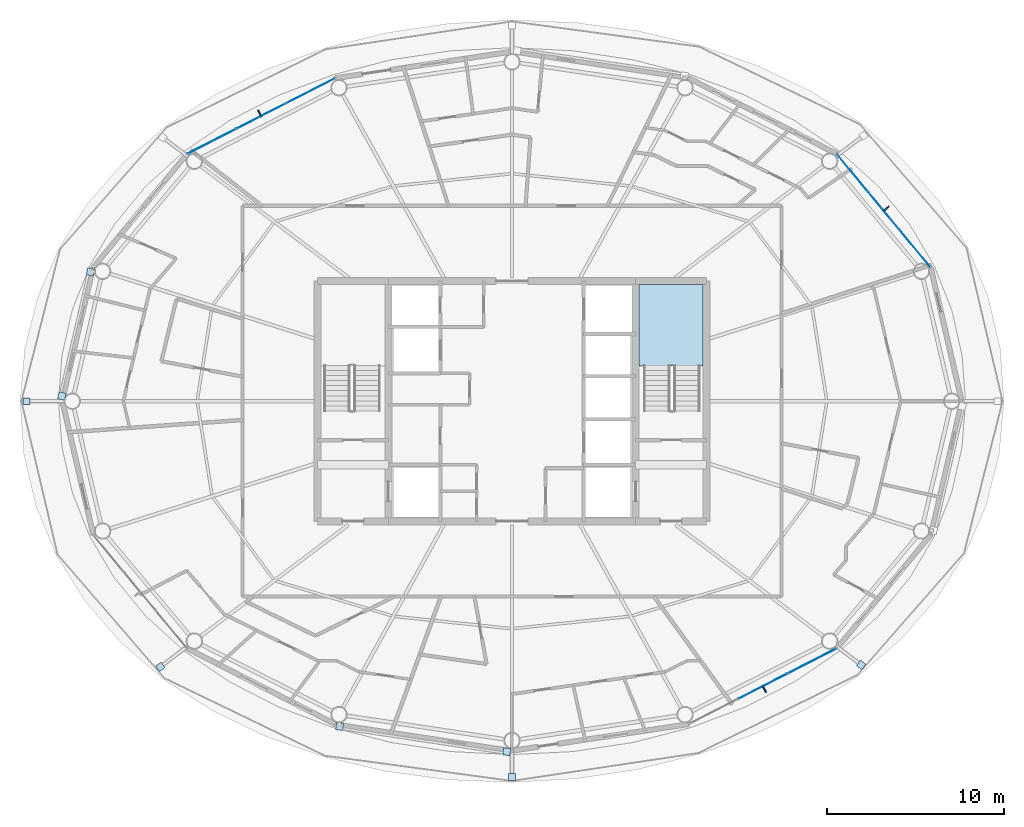
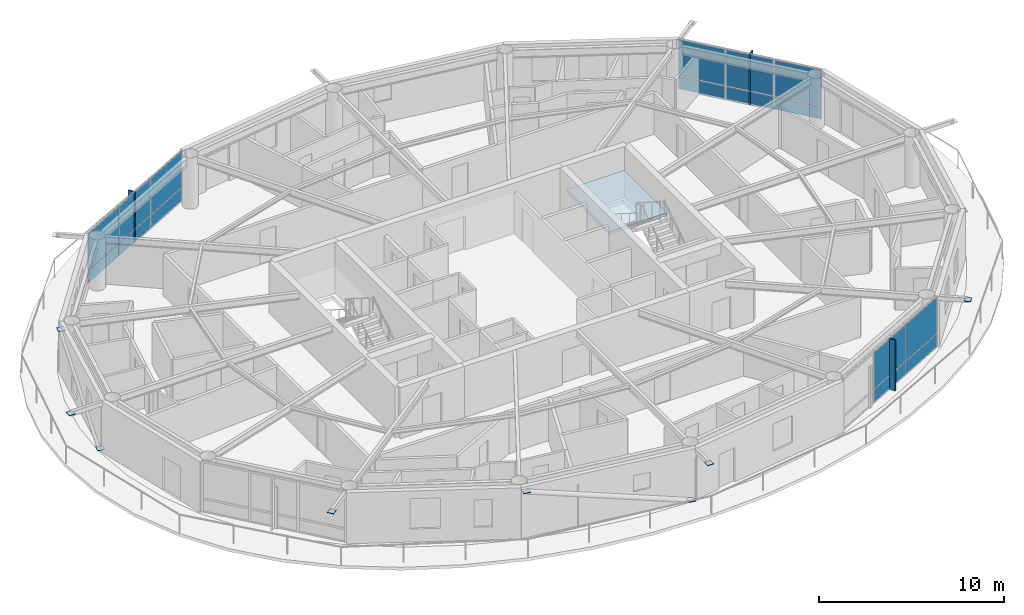
# One storey, part 14 of 23: 27 plates, 1 slab, 4 elements without a shape of their own.
"""IFC4 building model written with IfcOpenShell, lengths in metres."""

from ifc_helpers import new_model, si_unit, direction, frame, origin, origin_2d, place, context, subcontext, project, spatial, polyline, rectangle, outline, extrude, material, layer, layer_set, type_object, element, aggregate, save


model = new_model("IFC4")

# Units and contexts
model_context = context("Model", 3, precision=1e-05, world=origin(), true_north=direction((0.0, 1.0)))
body_context = subcontext(model_context, "Body", "Model", "MODEL_VIEW")
ifc_project = project(units=[si_unit("LENGTHUNIT", "METRE"), si_unit("AREAUNIT", "SQUARE_METRE"), si_unit("VOLUMEUNIT", "CUBIC_METRE"), si_unit("PLANEANGLEUNIT", "RADIAN"), si_unit("MASSUNIT", "GRAM", prefix="KILO")], contexts=[model_context])

# Site, building, storey
site_placement = place(None, origin())
site = spatial("IfcSite", under=ifc_project, at=site_placement, CompositionType="ELEMENT")
building_placement = place(site_placement, origin())
building = spatial("IfcBuilding", under=site, at=building_placement, Name="Sarneth Arch Tower", CompositionType="ELEMENT")
storey_placement = place(building_placement, frame((0.0, 0.0, 217.199951171875)))
storey = spatial("IfcBuildingStorey", under=building, at=storey_placement, Name="L55", CompositionType="ELEMENT", Elevation=217.199951171875)

# Curtain wall, plates
ifc_material_1 = material(Name="Anodised aluminium Type AA25 and solar-control low-e laminated IGU", Category="aluminium")
ifc_layer_1 = layer(ifc_material_1, 0.179931640625)
ifc_layer_set_1 = layer_set([ifc_layer_1], Name="Anodised aluminium Type AA25 and solar-control low-e laminated IGU")
curtain_wall_type = type_object("IfcCurtainWallType", Name="CW-RES-HIGH", PredefinedType="NOTDEFINED", material=ifc_layer_set_1)
curtain_wall_1_placement = place(storey_placement, origin())
curtain_wall_1 = element("IfcCurtainWall", 1, at=curtain_wall_1_placement, inside=storey, type_object=curtain_wall_type, Name="L55 Unitised curtain wall facet 02", PredefinedType="NOTDEFINED")
ifc_material_2 = material(Name="Solar-control low-e laminated IGU", Category="glass")
ifc_layer_2 = layer(ifc_material_2, 0.028076171875)
ifc_layer_set_2 = layer_set([ifc_layer_2], Name="Solar-control low-e laminated IGU")
plate_type_1 = type_object("IfcPlateType", Name="CW-PANEL", PredefinedType="CURTAIN_PANEL", material=ifc_layer_set_2)
plate_1_placement = place(storey_placement, frame((70.799072265625, 50.650634765625, 0.06005859375), z_axis=(0.0, 0.0, 1.0), x_axis=(-0.637610094184, 0.770359245933, 0.0)))
plate_1 = element("IfcPlate", 2, at=plate_1_placement, type_object=plate_type_1, Name="Curtain wall glazed vision pane CW-L55-F02/P00-00", PredefinedType="CURTAIN_PANEL", context=body_context, shape_type="SweptSolid", body=[
    extrude(rectangle(XDim=2.686767578125, YDim=0.028076171875, at=origin_2d()), origin(), (0.0, 0.0, 1.0), 0.81005859375),
])
plate_2_placement = place(storey_placement, frame((70.799072265625, 50.650634765625, 0.929931640625), z_axis=(0.0, 0.0, 1.0), x_axis=(-0.637610094184, 0.770359245933, 0.0)))
plate_2 = element("IfcPlate", 3, at=plate_2_placement, type_object=plate_type_1, Name="Curtain wall glazed vision pane CW-L55-F02/P00-01", PredefinedType="CURTAIN_PANEL", context=body_context, shape_type="SweptSolid", body=[
    extrude(rectangle(XDim=2.686767578125, YDim=0.028076171875, at=origin_2d()), origin(), (0.0, 0.0, 1.0), 2.3701171875),
])
plate_3_placement = place(storey_placement, frame((69.0380859375, 52.778076171875, 0.06005859375), z_axis=(0.0, 0.0, 1.0), x_axis=(-0.637610094184, 0.770359245933, 0.0)))
plate_3 = element("IfcPlate", 4, at=plate_3_placement, type_object=plate_type_1, Name="Curtain wall glazed vision pane CW-L55-F02/P01-00", PredefinedType="CURTAIN_PANEL", context=body_context, shape_type="SweptSolid", body=[
    extrude(rectangle(XDim=2.716552734375, YDim=0.028076171875, at=origin_2d()), origin(), (0.0, 0.0, 1.0), 0.81005859375),
])
plate_4_placement = place(storey_placement, frame((69.0380859375, 52.778076171875, 0.929931640625), z_axis=(0.0, 0.0, 1.0), x_axis=(-0.637610094184, 0.770359245933, 0.0)))
plate_4 = element("IfcPlate", 5, at=plate_4_placement, type_object=plate_type_1, Name="Curtain wall glazed vision pane CW-L55-F02/P01-01", PredefinedType="CURTAIN_PANEL", context=body_context, shape_type="SweptSolid", body=[
    extrude(rectangle(XDim=2.716552734375, YDim=0.028076171875, at=origin_2d()), origin(), (0.0, 0.0, 1.0), 2.3701171875),
])
plate_5_placement = place(storey_placement, frame((67.27734375, 54.905517578125, 0.06005859375), z_axis=(0.0, 0.0, 1.0), x_axis=(-0.637610094184, 0.770359245933, 0.0)))
plate_5 = element("IfcPlate", 6, at=plate_5_placement, type_object=plate_type_1, Name="Curtain wall glazed vision pane CW-L55-F02/P02-00", PredefinedType="CURTAIN_PANEL", context=body_context, shape_type="SweptSolid", body=[
    extrude(rectangle(XDim=2.686767578125, YDim=0.028076171875, at=origin_2d()), origin(), (0.0, 0.0, 1.0), 0.81005859375),
])
plate_6_placement = place(storey_placement, frame((67.27734375, 54.905517578125, 0.929931640625), z_axis=(0.0, 0.0, 1.0), x_axis=(-0.637610094184, 0.770359245933, 0.0)))
plate_6 = element("IfcPlate", 7, at=plate_6_placement, type_object=plate_type_1, Name="Curtain wall glazed vision pane CW-L55-F02/P02-01", PredefinedType="CURTAIN_PANEL", context=body_context, shape_type="SweptSolid", body=[
    extrude(rectangle(XDim=2.686767578125, YDim=0.028076171875, at=origin_2d()), origin(), (0.0, 0.0, 1.0), 2.3701171875),
])
aggregate(curtain_wall_1, [plate_1, plate_2, plate_3, plate_4, plate_5, plate_6])

curtain_wall_2_placement = place(storey_placement, origin())
curtain_wall_2 = element("IfcCurtainWall", 8, at=curtain_wall_2_placement, inside=storey, type_object=curtain_wall_type, Name="L55 Unitised curtain wall facet 06", PredefinedType="NOTDEFINED")
plate_7_placement = place(storey_placement, frame((36.5791015625, 59.552978515625, 0.06005859375), z_axis=(0.0, 0.0, 1.0), x_axis=(-0.890009540525, -0.455941901753, 0.0)))
plate_7 = element("IfcPlate", 9, at=plate_7_placement, type_object=plate_type_1, Name="Curtain wall glazed vision pane CW-L55-F06/P00-00", PredefinedType="CURTAIN_PANEL", context=body_context, shape_type="SweptSolid", body=[
    extrude(rectangle(XDim=3.044677734375, YDim=0.028076171875, at=origin_2d()), origin(), (0.0, 0.0, 1.0), 0.81005859375),
])
plate_8_placement = place(storey_placement, frame((36.5791015625, 59.552978515625, 0.929931640625), z_axis=(0.0, 0.0, 1.0), x_axis=(-0.890009540525, -0.455941901753, 0.0)))
plate_8 = element("IfcPlate", 10, at=plate_8_placement, type_object=plate_type_1, Name="Curtain wall glazed vision pane CW-L55-F06/P00-01", PredefinedType="CURTAIN_PANEL", context=body_context, shape_type="SweptSolid", body=[
    extrude(rectangle(XDim=3.044677734375, YDim=0.028076171875, at=origin_2d()), origin(), (0.0, 0.0, 1.0), 2.3701171875),
])
plate_9_placement = place(storey_placement, frame((33.802490234375, 58.13037109375, 0.06005859375), z_axis=(0.0, 0.0, 1.0), x_axis=(-0.890009540525, -0.455941901753, 0.0)))
plate_9 = element("IfcPlate", 11, at=plate_9_placement, type_object=plate_type_1, Name="Curtain wall glazed vision pane CW-L55-F06/P01-00", PredefinedType="CURTAIN_PANEL", context=body_context, shape_type="SweptSolid", body=[
    extrude(rectangle(XDim=3.07470703125, YDim=0.028076171875, at=origin_2d()), origin(), (0.0, 0.0, 1.0), 0.81005859375),
])
plate_10_placement = place(storey_placement, frame((33.802490234375, 58.13037109375, 0.929931640625), z_axis=(0.0, 0.0, 1.0), x_axis=(-0.890009540525, -0.455941901753, 0.0)))
plate_10 = element("IfcPlate", 12, at=plate_10_placement, type_object=plate_type_1, Name="Curtain wall glazed vision pane CW-L55-F06/P01-01", PredefinedType="CURTAIN_PANEL", context=body_context, shape_type="SweptSolid", body=[
    extrude(rectangle(XDim=3.07470703125, YDim=0.028076171875, at=origin_2d()), origin(), (0.0, 0.0, 1.0), 2.3701171875),
])
plate_11_placement = place(storey_placement, frame((31.02587890625, 56.7080078125, 0.06005859375), z_axis=(0.0, 0.0, 1.0), x_axis=(-0.890009540525, -0.455941901753, 0.0)))
plate_11 = element("IfcPlate", 13, at=plate_11_placement, type_object=plate_type_1, Name="Curtain wall glazed vision pane CW-L55-F06/P02-00", PredefinedType="CURTAIN_PANEL", context=body_context, shape_type="SweptSolid", body=[
    extrude(rectangle(XDim=3.044677734375, YDim=0.028076171875, at=origin_2d()), origin(), (0.0, 0.0, 1.0), 0.81005859375),
])
plate_12_placement = place(storey_placement, frame((31.02587890625, 56.7080078125, 0.929931640625), z_axis=(0.0, 0.0, 1.0), x_axis=(-0.890009540525, -0.455941901753, 0.0)))
plate_12 = element("IfcPlate", 14, at=plate_12_placement, type_object=plate_type_1, Name="Curtain wall glazed vision pane CW-L55-F06/P02-01", PredefinedType="CURTAIN_PANEL", context=body_context, shape_type="SweptSolid", body=[
    extrude(rectangle(XDim=3.044677734375, YDim=0.028076171875, at=origin_2d()), origin(), (0.0, 0.0, 1.0), 2.3701171875),
])
aggregate(curtain_wall_2, [plate_7, plate_8, plate_9, plate_10, plate_11, plate_12])

curtain_wall_3_placement = place(storey_placement, origin())
curtain_wall_3 = element("IfcCurtainWall", 15, at=curtain_wall_3_placement, inside=storey, type_object=curtain_wall_type, Name="L55 Unitised curtain wall facet 14", PredefinedType="NOTDEFINED")
plate_13_placement = place(storey_placement, frame((62.197509765625, 25.86962890625, 0.06005859375), z_axis=(0.0, 0.0, 1.0), x_axis=(0.890009540525, 0.455941901753, 0.0)))
plate_13 = element("IfcPlate", 16, at=plate_13_placement, type_object=plate_type_1, Name="Curtain wall glazed vision pane CW-L55-F14/P01-00", PredefinedType="CURTAIN_PANEL", context=body_context, shape_type="SweptSolid", body=[
    extrude(rectangle(XDim=3.07470703125, YDim=0.028076171875, at=origin_2d()), origin(), (0.0, 0.0, 1.0), 0.81005859375),
])
plate_14_placement = place(storey_placement, frame((62.197509765625, 25.86962890625, 0.929931640625), z_axis=(0.0, 0.0, 1.0), x_axis=(0.890009540525, 0.455941901753, 0.0)))
plate_14 = element("IfcPlate", 17, at=plate_14_placement, type_object=plate_type_1, Name="Curtain wall glazed vision pane CW-L55-F14/P01-01", PredefinedType="CURTAIN_PANEL", context=body_context, shape_type="SweptSolid", body=[
    extrude(rectangle(XDim=3.07470703125, YDim=0.028076171875, at=origin_2d()), origin(), (0.0, 0.0, 1.0), 2.3701171875),
])
plate_15_placement = place(storey_placement, frame((64.97412109375, 27.2919921875, 0.06005859375), z_axis=(0.0, 0.0, 1.0), x_axis=(0.890009540525, 0.455941901753, 0.0)))
plate_15 = element("IfcPlate", 18, at=plate_15_placement, type_object=plate_type_1, Name="Curtain wall glazed vision pane CW-L55-F14/P02-00", PredefinedType="CURTAIN_PANEL", context=body_context, shape_type="SweptSolid", body=[
    extrude(rectangle(XDim=3.044677734375, YDim=0.028076171875, at=origin_2d()), origin(), (0.0, 0.0, 1.0), 0.81005859375),
])
plate_16_placement = place(storey_placement, frame((64.97412109375, 27.2919921875, 0.929931640625), z_axis=(0.0, 0.0, 1.0), x_axis=(0.890009540525, 0.455941901753, 0.0)))
plate_16 = element("IfcPlate", 19, at=plate_16_placement, type_object=plate_type_1, Name="Curtain wall glazed vision pane CW-L55-F14/P02-01", PredefinedType="CURTAIN_PANEL", context=body_context, shape_type="SweptSolid", body=[
    extrude(rectangle(XDim=3.044677734375, YDim=0.028076171875, at=origin_2d()), origin(), (0.0, 0.0, 1.0), 2.3701171875),
])
aggregate(curtain_wall_3, [plate_13, plate_14, plate_15, plate_16])

# Plates
ifc_material_3 = material(Name="Steel S355", Category="steel")
ifc_layer_3 = layer(ifc_material_3, 0.035888671875)
ifc_layer_set_3 = layer_set([ifc_layer_3], Name="Steel S355")
plate_type_2 = type_object("IfcPlateType", Name="PLT-GUSSET-30", PredefinedType="SHEET", material=ifc_layer_set_3)
for number, where, z_axis, x_axis, name in (
    (20, (22.5234375, 42.292236328125, 0.001953125), (0.0, 0.0, 1.0), (-0.225461202458, -0.974252147129, 0.0), "Steel end cap plate GP-1"),
    (21, (24.148193359375, 49.3154296875, 3.0185546875), (0.0, 0.0, 1.0), (-0.225461202458, -0.974252147129, 0.0), "Steel end cap plate GP-1"),
):
    element("IfcPlate", number, at=place(storey_placement, frame(where, z_axis=z_axis, x_axis=x_axis)), inside=storey, type_object=plate_type_2, Name=name, PredefinedType="SHEET", context=body_context, shape_type="SweptSolid", body=[
        extrude(rectangle(XDim=0.404052734375, YDim=0.404052734375, at=origin_2d()), origin(), (0.0, 0.0, 1.0), 0.035888671875),
    ])
for number, where, z_axis, x_axis, name in (
    (22, (20.5302734375, 42.0, 3.18212890625), (0.0, 0.0, 1.0), (-1.0, 0.0, 0.0), "Steel end cap plate GP-1"),
    (23, (28.101806640625, 26.970947265625, 3.18212890625), (0.0, 0.0, 1.0), (-0.798004853043, -0.602651022168, 0.0), "Steel end cap plate GP-1"),
):
    element("IfcPlate", number, at=place(storey_placement, frame(where, z_axis=z_axis, x_axis=x_axis)), inside=storey, type_object=plate_type_2, Name=name, PredefinedType="SHEET", context=body_context, shape_type="SweptSolid", body=[
        extrude(rectangle(XDim=0.3798828125, YDim=0.3798828125, at=origin_2d()), origin(), (0.0, 0.0, 1.0), 0.035888671875),
    ])
for number, where, z_axis, x_axis, name in (
    (24, (47.703369140625, 22.16455078125, 0.001953125), (0.0, 0.0, 1.0), (0.988860535448, -0.148845024885, 0.0), "Steel end cap plate GP-1"),
    (25, (38.245849609375, 23.588623046875, 3.0185546875), (0.0, 0.0, 1.0), (0.988860535448, -0.148845024885, 0.0), "Steel end cap plate GP-1"),
):
    element("IfcPlate", number, at=place(storey_placement, frame(where, z_axis=z_axis, x_axis=x_axis)), inside=storey, type_object=plate_type_2, Name=name, PredefinedType="SHEET", context=body_context, shape_type="SweptSolid", body=[
        extrude(rectangle(XDim=0.404052734375, YDim=0.404052734375, at=origin_2d()), origin(), (0.0, 0.0, 1.0), 0.035888671875),
    ])
for number, where, z_axis, x_axis, name in (
    (26, (48.0, 20.736572265625, 3.18212890625), (0.0, 0.0, 1.0), (0.0, -1.0, 0.0), "Steel end cap plate GP-1"),
    (27, (67.7626953125, 27.073486328125, 3.18212890625), (0.0, 0.0, 1.0), (0.798004853043, -0.602651022168, 0.0), "Steel end cap plate GP-1"),
):
    element("IfcPlate", number, at=place(storey_placement, frame(where, z_axis=z_axis, x_axis=x_axis)), inside=storey, type_object=plate_type_2, Name=name, PredefinedType="SHEET", context=body_context, shape_type="SweptSolid", body=[
        extrude(rectangle(XDim=0.3798828125, YDim=0.3798828125, at=origin_2d()), origin(), (0.0, 0.0, 1.0), 0.035888671875),
    ])
ifc_material_4 = material(Name="Extruded glazed terracotta baguette fin on Aluminium 6063-T6 carrier", Category="masonry")
ifc_layer_4 = layer(ifc_material_4, 0.080078125)
ifc_layer_set_4 = layer_set([ifc_layer_4], Name="Extruded glazed terracotta baguette fin on Aluminium 6063-T6 carrier")
plate_type_3 = type_object("IfcPlateType", Name="SHADE-TERRA-FIN", PredefinedType="SHEET", material=ifc_layer_set_4)
for number, where, z_axis, x_axis, name in (
    (28, (69.169189453125, 52.886474609375, 0.009765625), (0.0, 0.0, 1.0), (0.770401979567, 0.63755845997, 0.0), "L55 Terracotta vertical shading fin 02"),
    (29, (33.724853515625, 58.28173828125, 0.009765625), (0.0, 0.0, 1.0), (-0.456010959102, 0.889974159838, 0.0), "L55 Terracotta vertical shading fin 06"),
    (30, (62.275146484375, 25.71826171875, 0.009765625), (0.0, 0.0, 1.0), (0.456010959102, -0.889974159838, 0.0), "L55 Terracotta vertical shading fin 14"),
):
    element("IfcPlate", number, at=place(storey_placement, frame(where, z_axis=z_axis, x_axis=x_axis)), inside=storey, type_object=plate_type_3, Name=name, PredefinedType="SHEET", context=body_context, shape_type="SweptSolid", body=[
        extrude(rectangle(XDim=0.419921875, YDim=0.080078125, at=origin_2d()), origin(), (0.0, 0.0, 1.0), 3.340087890625),
    ])

# Stair, slab
ifc_material_5 = material(Name="Concrete C50/60", Category="concrete")
stair_type = type_object("IfcStairType", Name="STAIR-CORE-RC", PredefinedType="HALF_TURN_STAIR", material=ifc_material_5)
stair_placement = place(storey_placement, origin())
stair = element("IfcStair", 31, at=stair_placement, inside=storey, type_object=stair_type, Name="L55 Core Exit Stair 2", PredefinedType="HALF_TURN_STAIR")
ifc_material_6 = material(Name="Concrete C50/60", Category="concrete")
ifc_layer_5 = layer(ifc_material_6, 0.199951171875)
ifc_layer_set_5 = layer_set([ifc_layer_5], Name="Concrete C50/60")
slab_type = type_object("IfcSlabType", Name="SLAB-LANDING-200", PredefinedType="LANDING", material=ifc_layer_set_5)
slab_placement = place(storey_placement, frame((0.0, 0.0, 1.60009765625)))
slab = element("IfcSlab", 32, at=slab_placement, type_object=slab_type, Name="ST-2 landing 1", PredefinedType="LANDING", context=body_context, shape_type="SweptSolid", body=[
    extrude(outline(polyline([(55.199951171875, 43.985107421875), (58.800048828125, 43.985107421875), (58.800048828125, 48.60009765625), (55.199951171875, 48.60009765625), (55.199951171875, 43.985107421875)])), origin(), (0.0, 0.0, 1.0), 0.199951171875),
])
aggregate(stair, [slab])

save(model, "model.ifc")
